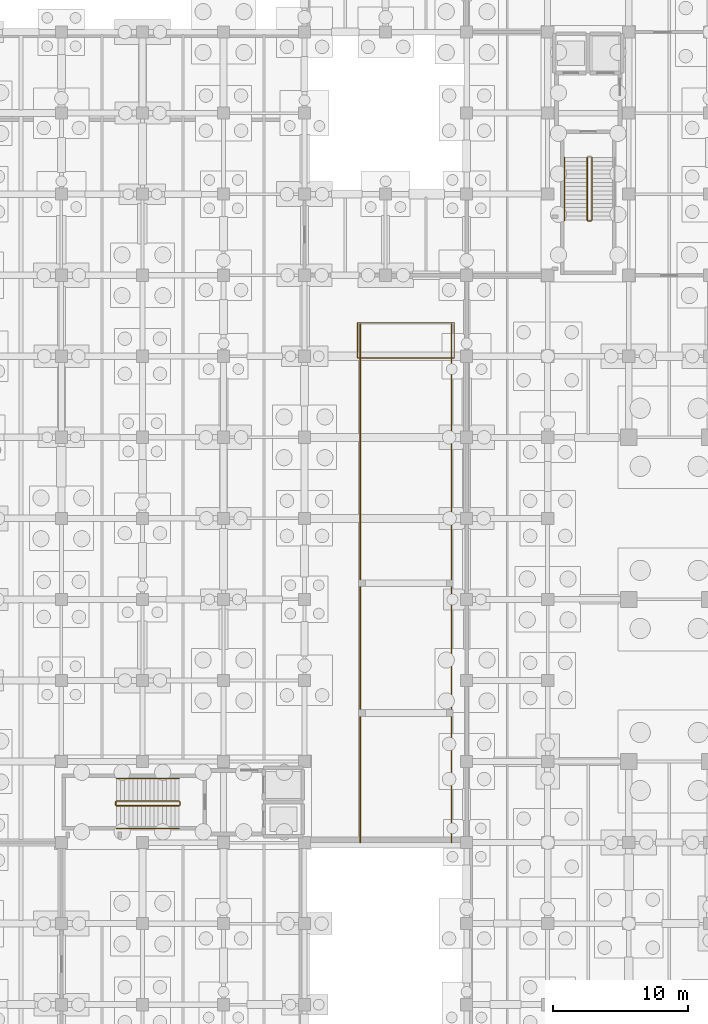
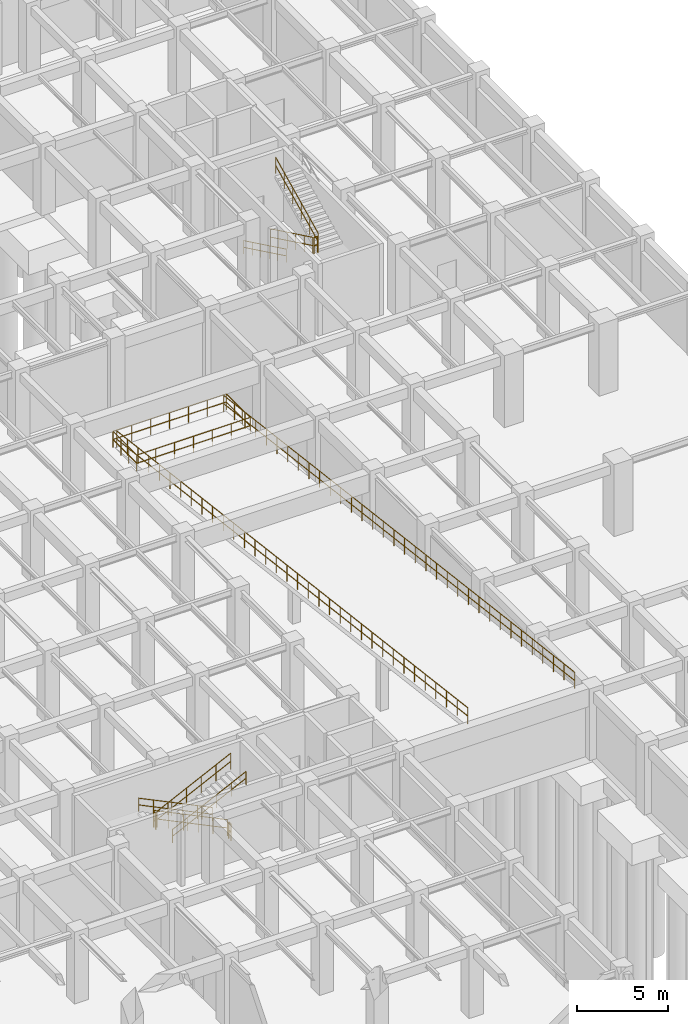
# One storey, part 52 of 54: 13 railings.
"""IFC4 building model written with IfcOpenShell, lengths in metres."""

from ifc_helpers import new_model, si_unit, direction, frame, origin, origin_2d, place, context, subcontext, project, spatial, circle, extrude, material, type_object, element, save


model = new_model("IFC4")

# Units and contexts
model_context = context("Model", 3, precision=1e-05, world=origin(), true_north=direction((0.0, 1.0)))
body_context = subcontext(model_context, "Body", "Model", "MODEL_VIEW")
ifc_project = project(units=[si_unit("LENGTHUNIT", "METRE"), si_unit("AREAUNIT", "SQUARE_METRE"), si_unit("VOLUMEUNIT", "CUBIC_METRE"), si_unit("PLANEANGLEUNIT", "RADIAN"), si_unit("MASSUNIT", "GRAM", prefix="KILO"), si_unit("THERMODYNAMICTEMPERATUREUNIT", "KELVIN"), si_unit("POWERUNIT", "WATT")], contexts=[model_context])

# Site, building, storey
site_placement = place(None, origin())
site = spatial("IfcSite", under=ifc_project, at=site_placement, CompositionType="ELEMENT")
building_placement = place(site_placement, origin())
building = spatial("IfcBuilding", under=site, at=building_placement, Name="Phaisarnlok Congress Hotel", CompositionType="ELEMENT")
storey_placement = place(building_placement, frame((0.0, 0.0, -4.800048828125)))
storey = spatial("IfcBuildingStorey", under=building, at=storey_placement, Name="B01", CompositionType="ELEMENT", Elevation=-4.800048828125)

# Railings
ifc_material_1 = material(Name="Laminated Glass & Stainless Steel Grade 316", Category="steel")
railing_type_1 = type_object("IfcRailingType", Name="RLG-INT-1100", PredefinedType="BALUSTRADE", material=ifc_material_1)
railing_1_placement = place(storey_placement, frame((155.080078125, 71.8701171875, 0.0)))
element("IfcRailing", 1, at=railing_1_placement, inside=storey, type_object=railing_type_1, Name="Atrium gallery guard balustrade GD-02 (B01 v4_ramp_b)", PredefinedType="BALUSTRADE", context=body_context, shape_type="SweptSolid", body=[
    extrude(circle(Radius=0.02392578125, at=origin_2d()), frame((0.0, 0.0, 1.076171875), z_axis=(0.0, 1.0, 0.0), x_axis=(-1.0, 0.0, 0.0)), (0.0, 0.0, 1.0), 2.614990234375),
    extrude(circle(Radius=0.02392578125, at=origin_2d()), frame((0.0, 0.0, 0.52587890625), z_axis=(0.0, 1.0, 0.0), x_axis=(-1.0, 0.0, 0.0)), (0.0, 0.0, 1.0), 2.614990234375),
    extrude(circle(Radius=0.02392578125, at=origin_2d()), frame((0.0, 2.614990234375, 1.076171875), z_axis=(-1.0, 0.0, 0.0), x_axis=(0.0, -1.0, 0.0)), (0.0, 0.0, 1.0), 7.16015625),
    extrude(circle(Radius=0.02392578125, at=origin_2d()), frame((0.0, 2.614990234375, 0.52587890625), z_axis=(-1.0, 0.0, 0.0), x_axis=(0.0, -1.0, 0.0)), (0.0, 0.0, 1.0), 7.16015625),
    extrude(circle(Radius=0.02392578125, at=origin_2d()), frame((-7.16015625, 2.614990234375, 1.076171875), z_axis=(0.0, -1.0, 0.0), x_axis=(1.0, 0.0, 0.0)), (0.0, 0.0, 1.0), 2.614990234375),
    extrude(circle(Radius=0.02392578125, at=origin_2d()), frame((-7.16015625, 2.614990234375, 0.52587890625), z_axis=(0.0, -1.0, 0.0), x_axis=(1.0, 0.0, 0.0)), (0.0, 0.0, 1.0), 2.614990234375),
    extrude(circle(Radius=0.02392578125, at=origin_2d()), frame((-7.16015625, 0.0, 1.076171875), z_axis=(1.0, 0.0, 0.0), x_axis=(0.0, 1.0, 0.0)), (0.0, 0.0, 1.0), 7.16015625),
    extrude(circle(Radius=0.02392578125, at=origin_2d()), frame((-7.16015625, 0.0, 0.52587890625), z_axis=(1.0, 0.0, 0.0), x_axis=(0.0, 1.0, 0.0)), (0.0, 0.0, 1.0), 7.16015625),
    extrude(circle(Radius=0.02099609375, at=origin_2d()), origin(), (0.0, 0.0, 1.0), 1.052001953125),
    extrude(circle(Radius=0.02099609375, at=origin_2d()), frame((0.0, 0.87158203125, 0.0)), (0.0, 0.0, 1.0), 1.052001953125),
    extrude(circle(Radius=0.02099609375, at=origin_2d()), frame((0.0, 1.743408203125, 0.0)), (0.0, 0.0, 1.0), 1.052001953125),
    extrude(circle(Radius=0.02099609375, at=origin_2d()), frame((0.0, 2.614990234375, 0.0)), (0.0, 0.0, 1.0), 1.052001953125),
    extrude(circle(Radius=0.02099609375, at=origin_2d()), frame((-1.193359375, 2.614990234375, 0.0)), (0.0, 0.0, 1.0), 1.052001953125),
    extrude(circle(Radius=0.02099609375, at=origin_2d()), frame((-2.38671875, 2.614990234375, 0.0)), (0.0, 0.0, 1.0), 1.052001953125),
    extrude(circle(Radius=0.02099609375, at=origin_2d()), frame((-3.580078125, 2.614990234375, 0.0)), (0.0, 0.0, 1.0), 1.052001953125),
    extrude(circle(Radius=0.02099609375, at=origin_2d()), frame((-4.7734375, 2.614990234375, 0.0)), (0.0, 0.0, 1.0), 1.052001953125),
    extrude(circle(Radius=0.02099609375, at=origin_2d()), frame((-5.966796875, 2.614990234375, 0.0)), (0.0, 0.0, 1.0), 1.052001953125),
    extrude(circle(Radius=0.02099609375, at=origin_2d()), frame((-7.16015625, 2.614990234375, 0.0)), (0.0, 0.0, 1.0), 1.052001953125),
    extrude(circle(Radius=0.02099609375, at=origin_2d()), frame((-7.16015625, 1.743408203125, 0.0)), (0.0, 0.0, 1.0), 1.052001953125),
    extrude(circle(Radius=0.02099609375, at=origin_2d()), frame((-7.16015625, 0.87158203125, 0.0)), (0.0, 0.0, 1.0), 1.052001953125),
    extrude(circle(Radius=0.02099609375, at=origin_2d()), frame((-7.16015625, 0.0, 0.0)), (0.0, 0.0, 1.0), 1.052001953125),
    extrude(circle(Radius=0.02099609375, at=origin_2d()), frame((-5.966796875, 0.0, 0.0)), (0.0, 0.0, 1.0), 1.052001953125),
    extrude(circle(Radius=0.02099609375, at=origin_2d()), frame((-4.7734375, 0.0, 0.0)), (0.0, 0.0, 1.0), 1.052001953125),
    extrude(circle(Radius=0.02099609375, at=origin_2d()), frame((-3.580078125, 0.0, 0.0)), (0.0, 0.0, 1.0), 1.052001953125),
    extrude(circle(Radius=0.02099609375, at=origin_2d()), frame((-2.38671875, 0.0, 0.0)), (0.0, 0.0, 1.0), 1.052001953125),
    extrude(circle(Radius=0.02099609375, at=origin_2d()), frame((-1.193359375, 0.0, 0.0)), (0.0, 0.0, 1.0), 1.052001953125),
])
ifc_material_2 = material(Name="Painted Galvanised Steel S275", Category="steel")
railing_type_2 = type_object("IfcRailingType", Name="RLG-STR-GUARD", PredefinedType="BALUSTRADE", material=ifc_material_2)
railing_2_placement = place(storey_placement, frame((134.719970703125, 39.070068359375, 0.150146484375)))
element("IfcRailing", 2, at=railing_2_placement, inside=storey, type_object=railing_type_2, Name="B01 ST-02 stair guard 1", PredefinedType="BALUSTRADE", context=body_context, shape_type="SweptSolid", body=[
    extrude(circle(Radius=0.02392578125, at=origin_2d()), frame((0.0, 0.0, 1.076171875), z_axis=(-0.900155664878, 0.0, 0.435568340204), x_axis=(0.0, -1.0, 0.0)), (0.0, 0.0, 1.0), 5.165771484375),
    extrude(circle(Radius=0.02392578125, at=origin_2d()), frame((0.0, 0.0, 0.52587890625), z_axis=(-0.900155664878, 0.0, 0.435568340204), x_axis=(0.0, -1.0, 0.0)), (0.0, 0.0, 1.0), 5.165771484375),
    extrude(circle(Radius=0.02099609375, at=origin_2d()), origin(), (0.0, 0.0, 1.0), 1.052001953125),
    extrude(circle(Radius=0.02099609375, at=origin_2d()), frame((-0.929931640625, 0.0, 0.449951171875)), (0.0, 0.0, 1.0), 1.052001953125),
    extrude(circle(Radius=0.02099609375, at=origin_2d()), frame((-1.85986328125, 0.0, 0.89990234375)), (0.0, 0.0, 1.0), 1.052001953125),
    extrude(circle(Radius=0.02099609375, at=origin_2d()), frame((-2.7900390625, 0.0, 1.35009765625)), (0.0, 0.0, 1.0), 1.052001953125),
    extrude(circle(Radius=0.02099609375, at=origin_2d()), frame((-3.719970703125, 0.0, 1.800048828125)), (0.0, 0.0, 1.0), 1.052001953125),
    extrude(circle(Radius=0.02099609375, at=origin_2d()), frame((-4.64990234375, 0.0, 2.25)), (0.0, 0.0, 1.0), 1.052001953125),
])
railing_3_placement = place(storey_placement, frame((130.02001953125, 39.02001953125, 2.400146484375)))
element("IfcRailing", 3, at=railing_3_placement, inside=storey, type_object=railing_type_2, Name="B01 ST-02 stair guard 2", PredefinedType="BALUSTRADE", context=body_context, shape_type="SweptSolid", body=[
    extrude(circle(Radius=0.02392578125, at=origin_2d()), frame((0.0, 0.0, 1.076171875), z_axis=(0.0, -1.0, 0.0), x_axis=(1.0, 0.0, 0.0)), (0.0, 0.0, 1.0), 0.239990234375),
    extrude(circle(Radius=0.02392578125, at=origin_2d()), frame((0.0, 0.0, 0.52587890625), z_axis=(0.0, -1.0, 0.0), x_axis=(1.0, 0.0, 0.0)), (0.0, 0.0, 1.0), 0.239990234375),
    extrude(circle(Radius=0.02099609375, at=origin_2d()), origin(), (0.0, 0.0, 1.0), 1.052001953125),
    extrude(circle(Radius=0.02099609375, at=origin_2d()), frame((0.0, -0.239990234375, 0.0)), (0.0, 0.0, 1.0), 1.052001953125),
])
railing_4_placement = place(storey_placement, frame((130.070068359375, 38.72998046875, 2.550048828125)))
element("IfcRailing", 4, at=railing_4_placement, inside=storey, type_object=railing_type_2, Name="B01 ST-02 stair guard 3", PredefinedType="BALUSTRADE", context=body_context, shape_type="SweptSolid", body=[
    extrude(circle(Radius=0.02392578125, at=origin_2d()), frame((0.0, 0.0, 1.076171875), z_axis=(0.900155664878, 0.0, 0.435568340204), x_axis=(0.0, 1.0, 0.0)), (0.0, 0.0, 1.0), 5.165771484375),
    extrude(circle(Radius=0.02392578125, at=origin_2d()), frame((0.0, 0.0, 0.52587890625), z_axis=(0.900155664878, 0.0, 0.435568340204), x_axis=(0.0, 1.0, 0.0)), (0.0, 0.0, 1.0), 5.165771484375),
    extrude(circle(Radius=0.02099609375, at=origin_2d()), origin(), (0.0, 0.0, 1.0), 1.052001953125),
    extrude(circle(Radius=0.02099609375, at=origin_2d()), frame((0.929931640625, 0.0, 0.449951171875)), (0.0, 0.0, 1.0), 1.052001953125),
    extrude(circle(Radius=0.02099609375, at=origin_2d()), frame((1.85986328125, 0.0, 0.89990234375)), (0.0, 0.0, 1.0), 1.052001953125),
    extrude(circle(Radius=0.02099609375, at=origin_2d()), frame((2.7900390625, 0.0, 1.35009765625)), (0.0, 0.0, 1.0), 1.052001953125),
    extrude(circle(Radius=0.02099609375, at=origin_2d()), frame((3.719970703125, 0.0, 1.800048828125)), (0.0, 0.0, 1.0), 1.052001953125),
    extrude(circle(Radius=0.02099609375, at=origin_2d()), frame((4.64990234375, 0.0, 2.25)), (0.0, 0.0, 1.0), 1.052001953125),
])
railing_5_placement = place(storey_placement, frame((134.77001953125, 39.02001953125, 0.0)))
element("IfcRailing", 5, at=railing_5_placement, inside=storey, type_object=railing_type_2, Name="B01 ST-02 stair guard 4", PredefinedType="BALUSTRADE", context=body_context, shape_type="SweptSolid", body=[
    extrude(circle(Radius=0.02392578125, at=origin_2d()), frame((0.0, 0.0, 1.076171875), z_axis=(0.0, -1.0, 0.0), x_axis=(1.0, 0.0, 0.0)), (0.0, 0.0, 1.0), 0.239990234375),
    extrude(circle(Radius=0.02392578125, at=origin_2d()), frame((0.0, 0.0, 0.52587890625), z_axis=(0.0, -1.0, 0.0), x_axis=(1.0, 0.0, 0.0)), (0.0, 0.0, 1.0), 0.239990234375),
    extrude(circle(Radius=0.02099609375, at=origin_2d()), origin(), (0.0, 0.0, 1.0), 1.052001953125),
    extrude(circle(Radius=0.02099609375, at=origin_2d()), frame((0.0, -0.239990234375, 0.0)), (0.0, 0.0, 1.0), 1.052001953125),
])
railing_6_placement = place(storey_placement, frame((164.929931640625, 86.719970703125, 0.150146484375)))
element("IfcRailing", 6, at=railing_6_placement, inside=storey, type_object=railing_type_2, Name="B01 ST-09 stair guard 1", PredefinedType="BALUSTRADE", context=body_context, shape_type="SweptSolid", body=[
    extrude(circle(Radius=0.02392578125, at=origin_2d()), frame((0.0, 0.0, 1.076171875), z_axis=(0.0, -0.900155664878, 0.435568340204), x_axis=(1.0, 0.0, 0.0)), (0.0, 0.0, 1.0), 5.165771484375),
    extrude(circle(Radius=0.02392578125, at=origin_2d()), frame((0.0, 0.0, 0.52587890625), z_axis=(0.0, -0.900155664878, 0.435568340204), x_axis=(1.0, 0.0, 0.0)), (0.0, 0.0, 1.0), 5.165771484375),
    extrude(circle(Radius=0.02099609375, at=origin_2d()), origin(), (0.0, 0.0, 1.0), 1.052001953125),
    extrude(circle(Radius=0.02099609375, at=origin_2d()), frame((0.0, -0.929931640625, 0.449951171875)), (0.0, 0.0, 1.0), 1.052001953125),
    extrude(circle(Radius=0.02099609375, at=origin_2d()), frame((0.0, -1.85986328125, 0.89990234375)), (0.0, 0.0, 1.0), 1.052001953125),
    extrude(circle(Radius=0.02099609375, at=origin_2d()), frame((0.0, -2.7900390625, 1.35009765625)), (0.0, 0.0, 1.0), 1.052001953125),
    extrude(circle(Radius=0.02099609375, at=origin_2d()), frame((0.0, -3.719970703125, 1.800048828125)), (0.0, 0.0, 1.0), 1.052001953125),
    extrude(circle(Radius=0.02099609375, at=origin_2d()), frame((0.0, -4.64990234375, 2.25)), (0.0, 0.0, 1.0), 1.052001953125),
])
railing_7_placement = place(storey_placement, frame((164.97998046875, 82.02001953125, 2.400146484375)))
element("IfcRailing", 7, at=railing_7_placement, inside=storey, type_object=railing_type_2, Name="B01 ST-09 stair guard 2", PredefinedType="BALUSTRADE", context=body_context, shape_type="SweptSolid", body=[
    extrude(circle(Radius=0.02392578125, at=origin_2d()), frame((0.0, 0.0, 1.076171875), z_axis=(1.0, 0.0, 0.0), x_axis=(0.0, 1.0, 0.0)), (0.0, 0.0, 1.0), 0.239990234375),
    extrude(circle(Radius=0.02392578125, at=origin_2d()), frame((0.0, 0.0, 0.52587890625), z_axis=(1.0, 0.0, 0.0), x_axis=(0.0, 1.0, 0.0)), (0.0, 0.0, 1.0), 0.239990234375),
    extrude(circle(Radius=0.02099609375, at=origin_2d()), origin(), (0.0, 0.0, 1.0), 1.052001953125),
    extrude(circle(Radius=0.02099609375, at=origin_2d()), frame((0.239990234375, 0.0, 0.0)), (0.0, 0.0, 1.0), 1.052001953125),
])
railing_8_placement = place(storey_placement, frame((165.27001953125, 82.070068359375, 2.550048828125)))
element("IfcRailing", 8, at=railing_8_placement, inside=storey, type_object=railing_type_2, Name="B01 ST-09 stair guard 3", PredefinedType="BALUSTRADE", context=body_context, shape_type="SweptSolid", body=[
    extrude(circle(Radius=0.02392578125, at=origin_2d()), frame((0.0, 0.0, 1.076171875), z_axis=(0.0, 0.900155664878, 0.435568340204), x_axis=(-1.0, 0.0, 0.0)), (0.0, 0.0, 1.0), 5.165771484375),
    extrude(circle(Radius=0.02392578125, at=origin_2d()), frame((0.0, 0.0, 0.52587890625), z_axis=(0.0, 0.900155664878, 0.435568340204), x_axis=(-1.0, 0.0, 0.0)), (0.0, 0.0, 1.0), 5.165771484375),
    extrude(circle(Radius=0.02099609375, at=origin_2d()), origin(), (0.0, 0.0, 1.0), 1.052001953125),
    extrude(circle(Radius=0.02099609375, at=origin_2d()), frame((0.0, 0.929931640625, 0.449951171875)), (0.0, 0.0, 1.0), 1.052001953125),
    extrude(circle(Radius=0.02099609375, at=origin_2d()), frame((0.0, 1.85986328125, 0.89990234375)), (0.0, 0.0, 1.0), 1.052001953125),
    extrude(circle(Radius=0.02099609375, at=origin_2d()), frame((0.0, 2.7900390625, 1.35009765625)), (0.0, 0.0, 1.0), 1.052001953125),
    extrude(circle(Radius=0.02099609375, at=origin_2d()), frame((0.0, 3.719970703125, 1.800048828125)), (0.0, 0.0, 1.0), 1.052001953125),
    extrude(circle(Radius=0.02099609375, at=origin_2d()), frame((0.0, 4.64990234375, 2.25)), (0.0, 0.0, 1.0), 1.052001953125),
])
railing_9_placement = place(storey_placement, frame((148.1201171875, 74.39990234375, 0.0)))
element("IfcRailing", 9, at=railing_9_placement, inside=storey, type_object=railing_type_2, Name="Vehicle ramp side barrier GD-03", PredefinedType="BALUSTRADE", context=body_context, shape_type="SweptSolid", body=[
    extrude(circle(Radius=0.02392578125, at=origin_2d()), frame((0.0, 0.0, 1.076171875), z_axis=(0.0, -0.992277682597, 0.124036287512), x_axis=(1.0, 0.0, 0.0)), (0.0, 0.0, 1.0), 38.69873046875),
    extrude(circle(Radius=0.02392578125, at=origin_2d()), frame((0.0, 0.0, 0.52587890625), z_axis=(0.0, -0.992277682597, 0.124036287512), x_axis=(1.0, 0.0, 0.0)), (0.0, 0.0, 1.0), 38.69873046875),
    extrude(circle(Radius=0.02099609375, at=origin_2d()), origin(), (0.0, 0.0, 1.0), 1.052001953125),
    extrude(circle(Radius=0.02099609375, at=origin_2d()), frame((0.0, -1.16357421875, 0.1455078125)), (0.0, 0.0, 1.0), 1.052001953125),
    extrude(circle(Radius=0.02099609375, at=origin_2d()), frame((0.0, -2.3271484375, 0.291015625)), (0.0, 0.0, 1.0), 1.052001953125),
    extrude(circle(Radius=0.02099609375, at=origin_2d()), frame((0.0, -3.490966796875, 0.436279296875)), (0.0, 0.0, 1.0), 1.052001953125),
    extrude(circle(Radius=0.02099609375, at=origin_2d()), frame((0.0, -4.654541015625, 0.581787109375)), (0.0, 0.0, 1.0), 1.052001953125),
    extrude(circle(Radius=0.02099609375, at=origin_2d()), frame((0.0, -5.818115234375, 0.727294921875)), (0.0, 0.0, 1.0), 1.052001953125),
    extrude(circle(Radius=0.02099609375, at=origin_2d()), frame((0.0, -6.981689453125, 0.872802734375)), (0.0, 0.0, 1.0), 1.052001953125),
    extrude(circle(Radius=0.02099609375, at=origin_2d()), frame((0.0, -8.1455078125, 1.018310546875)), (0.0, 0.0, 1.0), 1.052001953125),
    extrude(circle(Radius=0.02099609375, at=origin_2d()), frame((0.0, -9.30908203125, 1.16357421875)), (0.0, 0.0, 1.0), 1.052001953125),
    extrude(circle(Radius=0.02099609375, at=origin_2d()), frame((0.0, -10.47265625, 1.30908203125)), (0.0, 0.0, 1.0), 1.052001953125),
    extrude(circle(Radius=0.02099609375, at=origin_2d()), frame((0.0, -11.63623046875, 1.45458984375)), (0.0, 0.0, 1.0), 1.052001953125),
    extrude(circle(Radius=0.02099609375, at=origin_2d()), frame((0.0, -12.800048828125, 1.60009765625)), (0.0, 0.0, 1.0), 1.052001953125),
    extrude(circle(Radius=0.02099609375, at=origin_2d()), frame((0.0, -13.963623046875, 1.745361328125)), (0.0, 0.0, 1.0), 1.052001953125),
    extrude(circle(Radius=0.02099609375, at=origin_2d()), frame((0.0, -15.127197265625, 1.890869140625)), (0.0, 0.0, 1.0), 1.052001953125),
    extrude(circle(Radius=0.02099609375, at=origin_2d()), frame((0.0, -16.290771484375, 2.036376953125)), (0.0, 0.0, 1.0), 1.052001953125),
    extrude(circle(Radius=0.02099609375, at=origin_2d()), frame((0.0, -17.45458984375, 2.181884765625)), (0.0, 0.0, 1.0), 1.052001953125),
    extrude(circle(Radius=0.02099609375, at=origin_2d()), frame((0.0, -18.6181640625, 2.327392578125)), (0.0, 0.0, 1.0), 1.052001953125),
    extrude(circle(Radius=0.02099609375, at=origin_2d()), frame((0.0, -19.78173828125, 2.47265625)), (0.0, 0.0, 1.0), 1.052001953125),
    extrude(circle(Radius=0.02099609375, at=origin_2d()), frame((0.0, -20.9453125, 2.6181640625)), (0.0, 0.0, 1.0), 1.052001953125),
    extrude(circle(Radius=0.02099609375, at=origin_2d()), frame((0.0, -22.109130859375, 2.763671875)), (0.0, 0.0, 1.0), 1.052001953125),
    extrude(circle(Radius=0.02099609375, at=origin_2d()), frame((0.0, -23.272705078125, 2.9091796875)), (0.0, 0.0, 1.0), 1.052001953125),
    extrude(circle(Radius=0.02099609375, at=origin_2d()), frame((0.0, -24.436279296875, 3.0546875)), (0.0, 0.0, 1.0), 1.052001953125),
    extrude(circle(Radius=0.02099609375, at=origin_2d()), frame((0.0, -25.599853515625, 3.199951171875)), (0.0, 0.0, 1.0), 1.052001953125),
    extrude(circle(Radius=0.02099609375, at=origin_2d()), frame((0.0, -26.763671875, 3.345458984375)), (0.0, 0.0, 1.0), 1.052001953125),
    extrude(circle(Radius=0.02099609375, at=origin_2d()), frame((0.0, -27.92724609375, 3.490966796875)), (0.0, 0.0, 1.0), 1.052001953125),
    extrude(circle(Radius=0.02099609375, at=origin_2d()), frame((0.0, -29.0908203125, 3.636474609375)), (0.0, 0.0, 1.0), 1.052001953125),
    extrude(circle(Radius=0.02099609375, at=origin_2d()), frame((0.0, -30.25439453125, 3.78173828125)), (0.0, 0.0, 1.0), 1.052001953125),
    extrude(circle(Radius=0.02099609375, at=origin_2d()), frame((0.0, -31.418212890625, 3.92724609375)), (0.0, 0.0, 1.0), 1.052001953125),
    extrude(circle(Radius=0.02099609375, at=origin_2d()), frame((0.0, -32.581787109375, 4.07275390625)), (0.0, 0.0, 1.0), 1.052001953125),
    extrude(circle(Radius=0.02099609375, at=origin_2d()), frame((0.0, -33.745361328125, 4.21826171875)), (0.0, 0.0, 1.0), 1.052001953125),
    extrude(circle(Radius=0.02099609375, at=origin_2d()), frame((0.0, -34.908935546875, 4.36376953125)), (0.0, 0.0, 1.0), 1.052001953125),
    extrude(circle(Radius=0.02099609375, at=origin_2d()), frame((0.0, -36.07275390625, 4.509033203125)), (0.0, 0.0, 1.0), 1.052001953125),
    extrude(circle(Radius=0.02099609375, at=origin_2d()), frame((0.0, -37.236328125, 4.654541015625)), (0.0, 0.0, 1.0), 1.052001953125),
    extrude(circle(Radius=0.02099609375, at=origin_2d()), frame((0.0, -38.39990234375, 4.800048828125)), (0.0, 0.0, 1.0), 1.052001953125),
])
railing_10_placement = place(storey_placement, frame((154.8798828125, 74.39990234375, 0.0)))
element("IfcRailing", 10, at=railing_10_placement, inside=storey, type_object=railing_type_2, Name="Vehicle ramp side barrier GD-03", PredefinedType="BALUSTRADE", context=body_context, shape_type="SweptSolid", body=[
    extrude(circle(Radius=0.02392578125, at=origin_2d()), frame((0.0, 0.0, 1.076171875), z_axis=(0.0, -0.992277682597, 0.124036287512), x_axis=(1.0, 0.0, 0.0)), (0.0, 0.0, 1.0), 38.69873046875),
    extrude(circle(Radius=0.02392578125, at=origin_2d()), frame((0.0, 0.0, 0.52587890625), z_axis=(0.0, -0.992277682597, 0.124036287512), x_axis=(1.0, 0.0, 0.0)), (0.0, 0.0, 1.0), 38.69873046875),
    extrude(circle(Radius=0.02099609375, at=origin_2d()), origin(), (0.0, 0.0, 1.0), 1.052001953125),
    extrude(circle(Radius=0.02099609375, at=origin_2d()), frame((0.0, -1.16357421875, 0.1455078125)), (0.0, 0.0, 1.0), 1.052001953125),
    extrude(circle(Radius=0.02099609375, at=origin_2d()), frame((0.0, -2.3271484375, 0.291015625)), (0.0, 0.0, 1.0), 1.052001953125),
    extrude(circle(Radius=0.02099609375, at=origin_2d()), frame((0.0, -3.490966796875, 0.436279296875)), (0.0, 0.0, 1.0), 1.052001953125),
    extrude(circle(Radius=0.02099609375, at=origin_2d()), frame((0.0, -4.654541015625, 0.581787109375)), (0.0, 0.0, 1.0), 1.052001953125),
    extrude(circle(Radius=0.02099609375, at=origin_2d()), frame((0.0, -5.818115234375, 0.727294921875)), (0.0, 0.0, 1.0), 1.052001953125),
    extrude(circle(Radius=0.02099609375, at=origin_2d()), frame((0.0, -6.981689453125, 0.872802734375)), (0.0, 0.0, 1.0), 1.052001953125),
    extrude(circle(Radius=0.02099609375, at=origin_2d()), frame((0.0, -8.1455078125, 1.018310546875)), (0.0, 0.0, 1.0), 1.052001953125),
    extrude(circle(Radius=0.02099609375, at=origin_2d()), frame((0.0, -9.30908203125, 1.16357421875)), (0.0, 0.0, 1.0), 1.052001953125),
    extrude(circle(Radius=0.02099609375, at=origin_2d()), frame((0.0, -10.47265625, 1.30908203125)), (0.0, 0.0, 1.0), 1.052001953125),
    extrude(circle(Radius=0.02099609375, at=origin_2d()), frame((0.0, -11.63623046875, 1.45458984375)), (0.0, 0.0, 1.0), 1.052001953125),
    extrude(circle(Radius=0.02099609375, at=origin_2d()), frame((0.0, -12.800048828125, 1.60009765625)), (0.0, 0.0, 1.0), 1.052001953125),
    extrude(circle(Radius=0.02099609375, at=origin_2d()), frame((0.0, -13.963623046875, 1.745361328125)), (0.0, 0.0, 1.0), 1.052001953125),
    extrude(circle(Radius=0.02099609375, at=origin_2d()), frame((0.0, -15.127197265625, 1.890869140625)), (0.0, 0.0, 1.0), 1.052001953125),
    extrude(circle(Radius=0.02099609375, at=origin_2d()), frame((0.0, -16.290771484375, 2.036376953125)), (0.0, 0.0, 1.0), 1.052001953125),
    extrude(circle(Radius=0.02099609375, at=origin_2d()), frame((0.0, -17.45458984375, 2.181884765625)), (0.0, 0.0, 1.0), 1.052001953125),
    extrude(circle(Radius=0.02099609375, at=origin_2d()), frame((0.0, -18.6181640625, 2.327392578125)), (0.0, 0.0, 1.0), 1.052001953125),
    extrude(circle(Radius=0.02099609375, at=origin_2d()), frame((0.0, -19.78173828125, 2.47265625)), (0.0, 0.0, 1.0), 1.052001953125),
    extrude(circle(Radius=0.02099609375, at=origin_2d()), frame((0.0, -20.9453125, 2.6181640625)), (0.0, 0.0, 1.0), 1.052001953125),
    extrude(circle(Radius=0.02099609375, at=origin_2d()), frame((0.0, -22.109130859375, 2.763671875)), (0.0, 0.0, 1.0), 1.052001953125),
    extrude(circle(Radius=0.02099609375, at=origin_2d()), frame((0.0, -23.272705078125, 2.9091796875)), (0.0, 0.0, 1.0), 1.052001953125),
    extrude(circle(Radius=0.02099609375, at=origin_2d()), frame((0.0, -24.436279296875, 3.0546875)), (0.0, 0.0, 1.0), 1.052001953125),
    extrude(circle(Radius=0.02099609375, at=origin_2d()), frame((0.0, -25.599853515625, 3.199951171875)), (0.0, 0.0, 1.0), 1.052001953125),
    extrude(circle(Radius=0.02099609375, at=origin_2d()), frame((0.0, -26.763671875, 3.345458984375)), (0.0, 0.0, 1.0), 1.052001953125),
    extrude(circle(Radius=0.02099609375, at=origin_2d()), frame((0.0, -27.92724609375, 3.490966796875)), (0.0, 0.0, 1.0), 1.052001953125),
    extrude(circle(Radius=0.02099609375, at=origin_2d()), frame((0.0, -29.0908203125, 3.636474609375)), (0.0, 0.0, 1.0), 1.052001953125),
    extrude(circle(Radius=0.02099609375, at=origin_2d()), frame((0.0, -30.25439453125, 3.78173828125)), (0.0, 0.0, 1.0), 1.052001953125),
    extrude(circle(Radius=0.02099609375, at=origin_2d()), frame((0.0, -31.418212890625, 3.92724609375)), (0.0, 0.0, 1.0), 1.052001953125),
    extrude(circle(Radius=0.02099609375, at=origin_2d()), frame((0.0, -32.581787109375, 4.07275390625)), (0.0, 0.0, 1.0), 1.052001953125),
    extrude(circle(Radius=0.02099609375, at=origin_2d()), frame((0.0, -33.745361328125, 4.21826171875)), (0.0, 0.0, 1.0), 1.052001953125),
    extrude(circle(Radius=0.02099609375, at=origin_2d()), frame((0.0, -34.908935546875, 4.36376953125)), (0.0, 0.0, 1.0), 1.052001953125),
    extrude(circle(Radius=0.02099609375, at=origin_2d()), frame((0.0, -36.07275390625, 4.509033203125)), (0.0, 0.0, 1.0), 1.052001953125),
    extrude(circle(Radius=0.02099609375, at=origin_2d()), frame((0.0, -37.236328125, 4.654541015625)), (0.0, 0.0, 1.0), 1.052001953125),
    extrude(circle(Radius=0.02099609375, at=origin_2d()), frame((0.0, -38.39990234375, 4.800048828125)), (0.0, 0.0, 1.0), 1.052001953125),
])
ifc_material_3 = material(Name="Brushed Stainless Steel Grade 304", Category="steel")
railing_type_3 = type_object("IfcRailingType", Name="RLG-STR-HRAIL", PredefinedType="HANDRAIL", material=ifc_material_3)
railing_11_placement = place(storey_placement, frame((134.719970703125, 40.75, 0.150146484375)))
element("IfcRailing", 11, at=railing_11_placement, inside=storey, type_object=railing_type_3, Name="B01 ST-02 stair handrail 1", PredefinedType="HANDRAIL", context=body_context, shape_type="SweptSolid", body=[
    extrude(circle(Radius=0.02392578125, at=origin_2d()), frame((0.0, 0.0, 0.8759765625), z_axis=(-0.900155664878, 0.0, 0.435568340204), x_axis=(0.0, -1.0, 0.0)), (0.0, 0.0, 1.0), 5.165771484375),
    extrude(circle(Radius=0.02392578125, at=origin_2d()), frame((0.0, 0.0, 0.42578125), z_axis=(-0.900155664878, 0.0, 0.435568340204), x_axis=(0.0, -1.0, 0.0)), (0.0, 0.0, 1.0), 5.165771484375),
    extrude(circle(Radius=0.02099609375, at=origin_2d()), origin(), (0.0, 0.0, 1.0), 0.851806640625),
    extrude(circle(Radius=0.02099609375, at=origin_2d()), frame((-0.929931640625, 0.0, 0.449951171875)), (0.0, 0.0, 1.0), 0.851806640625),
    extrude(circle(Radius=0.02099609375, at=origin_2d()), frame((-1.85986328125, 0.0, 0.89990234375)), (0.0, 0.0, 1.0), 0.851806640625),
    extrude(circle(Radius=0.02099609375, at=origin_2d()), frame((-2.7900390625, 0.0, 1.35009765625)), (0.0, 0.0, 1.0), 0.851806640625),
    extrude(circle(Radius=0.02099609375, at=origin_2d()), frame((-3.719970703125, 0.0, 1.800048828125)), (0.0, 0.0, 1.0), 0.851806640625),
    extrude(circle(Radius=0.02099609375, at=origin_2d()), frame((-4.64990234375, 0.0, 2.25)), (0.0, 0.0, 1.0), 0.851806640625),
])
railing_12_placement = place(storey_placement, frame((130.070068359375, 37.050048828125, 2.550048828125)))
element("IfcRailing", 12, at=railing_12_placement, inside=storey, type_object=railing_type_3, Name="B01 ST-02 stair handrail 2", PredefinedType="HANDRAIL", context=body_context, shape_type="SweptSolid", body=[
    extrude(circle(Radius=0.02392578125, at=origin_2d()), frame((0.0, 0.0, 0.8759765625), z_axis=(0.900155664878, 0.0, 0.435568340204), x_axis=(0.0, 1.0, 0.0)), (0.0, 0.0, 1.0), 5.165771484375),
    extrude(circle(Radius=0.02392578125, at=origin_2d()), frame((0.0, 0.0, 0.42578125), z_axis=(0.900155664878, 0.0, 0.435568340204), x_axis=(0.0, 1.0, 0.0)), (0.0, 0.0, 1.0), 5.165771484375),
    extrude(circle(Radius=0.02099609375, at=origin_2d()), origin(), (0.0, 0.0, 1.0), 0.851806640625),
    extrude(circle(Radius=0.02099609375, at=origin_2d()), frame((0.929931640625, 0.0, 0.449951171875)), (0.0, 0.0, 1.0), 0.851806640625),
    extrude(circle(Radius=0.02099609375, at=origin_2d()), frame((1.85986328125, 0.0, 0.89990234375)), (0.0, 0.0, 1.0), 0.851806640625),
    extrude(circle(Radius=0.02099609375, at=origin_2d()), frame((2.7900390625, 0.0, 1.35009765625)), (0.0, 0.0, 1.0), 0.851806640625),
    extrude(circle(Radius=0.02099609375, at=origin_2d()), frame((3.719970703125, 0.0, 1.800048828125)), (0.0, 0.0, 1.0), 0.851806640625),
    extrude(circle(Radius=0.02099609375, at=origin_2d()), frame((4.64990234375, 0.0, 2.25)), (0.0, 0.0, 1.0), 0.851806640625),
])
railing_13_placement = place(storey_placement, frame((163.25, 86.719970703125, 0.150146484375)))
element("IfcRailing", 13, at=railing_13_placement, inside=storey, type_object=railing_type_3, Name="B01 ST-09 stair handrail 1", PredefinedType="HANDRAIL", context=body_context, shape_type="SweptSolid", body=[
    extrude(circle(Radius=0.02392578125, at=origin_2d()), frame((0.0, 0.0, 0.8759765625), z_axis=(0.0, -0.900155664878, 0.435568340204), x_axis=(1.0, 0.0, 0.0)), (0.0, 0.0, 1.0), 5.165771484375),
    extrude(circle(Radius=0.02392578125, at=origin_2d()), frame((0.0, 0.0, 0.42578125), z_axis=(0.0, -0.900155664878, 0.435568340204), x_axis=(1.0, 0.0, 0.0)), (0.0, 0.0, 1.0), 5.165771484375),
    extrude(circle(Radius=0.02099609375, at=origin_2d()), origin(), (0.0, 0.0, 1.0), 0.851806640625),
    extrude(circle(Radius=0.02099609375, at=origin_2d()), frame((0.0, -0.929931640625, 0.449951171875)), (0.0, 0.0, 1.0), 0.851806640625),
    extrude(circle(Radius=0.02099609375, at=origin_2d()), frame((0.0, -1.85986328125, 0.89990234375)), (0.0, 0.0, 1.0), 0.851806640625),
    extrude(circle(Radius=0.02099609375, at=origin_2d()), frame((0.0, -2.7900390625, 1.35009765625)), (0.0, 0.0, 1.0), 0.851806640625),
    extrude(circle(Radius=0.02099609375, at=origin_2d()), frame((0.0, -3.719970703125, 1.800048828125)), (0.0, 0.0, 1.0), 0.851806640625),
    extrude(circle(Radius=0.02099609375, at=origin_2d()), frame((0.0, -4.64990234375, 2.25)), (0.0, 0.0, 1.0), 0.851806640625),
])

save(model, "model.ifc")
